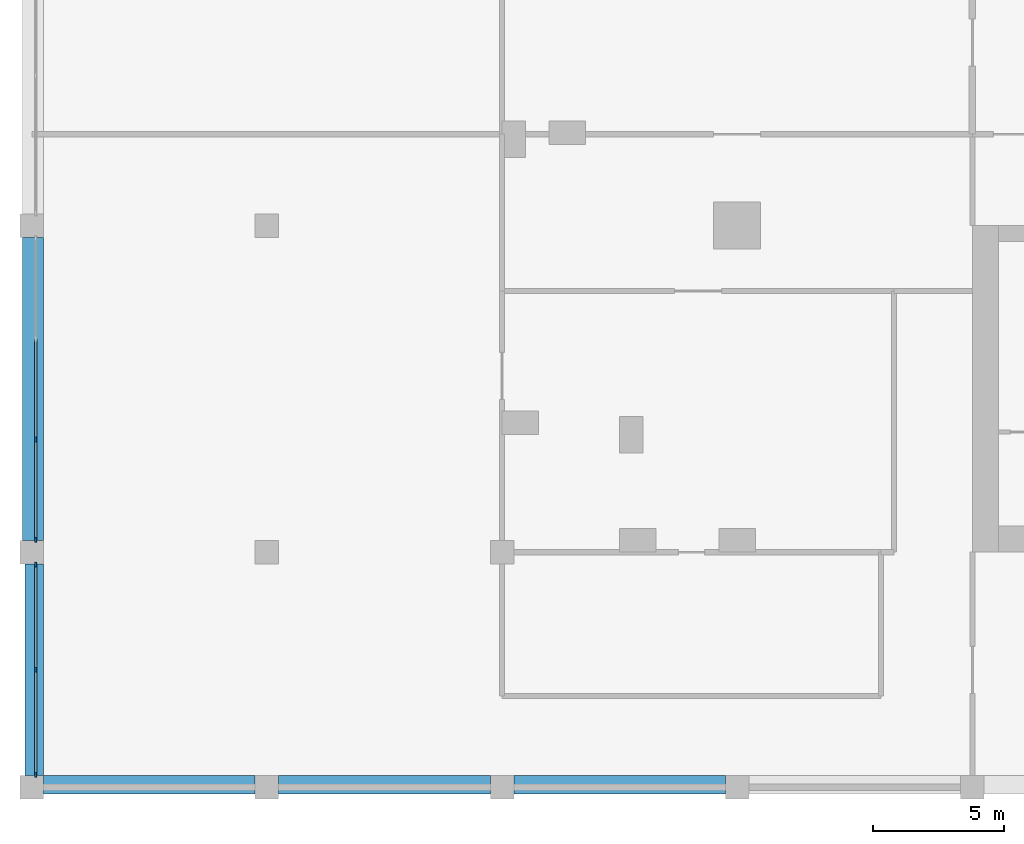
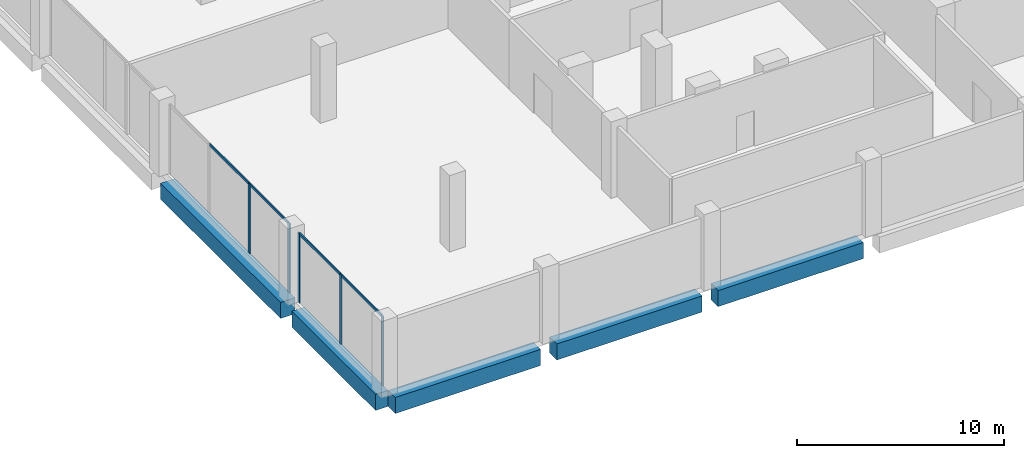
# One storey, part 2 of 22: 9 members, 5 beams, 2 elements without a shape of their own.
"""IFC4 building model written with IfcOpenShell, lengths in metres."""

import ifcopenshell
import ifcopenshell.guid

model = None  # the IFC model being written
_history = None  # IfcOwnerHistory: only IFC2X3 demands one
_inside = {}  # id of a spatial element -> (the spatial element, [elements in it])
_under = {}  # id of a project, library or spatial element -> (it, [spatial elements below it])
_declared = {}  # id of a project -> (the project, [libraries it declares])
_typed = {}  # id of a type object -> (the type object, [elements of that type])
_made_of = {}  # id of a material, layer set ... -> (it, [elements and type objects made of it])


def new_model(schema):
    """Start an empty IFC model of exactly this schema.

    Asked for "IFC4X3", IfcOpenShell would pick the latest addendum, in which some entities
    have other attributes; the version numbers below select the first issue.
    IFC2X3 requires an IfcOwnerHistory on every rooted entity: one is made here for all.
    """
    global model, _history
    if schema == "IFC4X3":
        model = ifcopenshell.file(schema_version=(4, 3, 0, 0))
    else:
        model = ifcopenshell.file(schema=schema)
    _inside.clear()
    _under.clear()
    _declared.clear()
    _typed.clear()
    _made_of.clear()
    _history = None
    if model.schema == "IFC2X3":
        org = make("IfcOrganization", Name="unknown")
        user = make(
            "IfcPersonAndOrganization",
            ThePerson=make("IfcPerson", FamilyName="unknown"),
            TheOrganization=org,
        )
        app = make(
            "IfcApplication",
            ApplicationDeveloper=org,
            Version="unknown",
            ApplicationFullName="unknown",
            ApplicationIdentifier="unknown",
        )
        _history = make(
            "IfcOwnerHistory",
            OwningUser=user,
            OwningApplication=app,
            ChangeAction="ADDED",
            CreationDate=0,
        )
    return model


def make(cls, **values):
    """One entity of the class cls with the attributes given. An attribute that is None is left unset."""
    return model.create_entity(
        cls, **{name: value for name, value in values.items() if value is not None}
    )


def rooted(cls, **values):
    """An entity with a GlobalId (a new one), such as an element, a storey or a relation."""
    return make(cls, GlobalId=ifcopenshell.guid.new(), OwnerHistory=_history, **values)


def si_unit(unit_type, name, prefix=None):
    """IfcSIUnit, for example si_unit("LENGTHUNIT", "METRE", prefix="MILLI")."""
    return make("IfcSIUnit", UnitType=unit_type, Prefix=prefix, Name=name)


def assignment(units):
    """IfcUnitAssignment: the units of a project."""
    return None if units is None else make("IfcUnitAssignment", Units=units)


def point(xyz):
    """IfcCartesianPoint."""
    return None if xyz is None else make("IfcCartesianPoint", Coordinates=xyz)


def direction(xyz):
    """IfcDirection."""
    return None if xyz is None else make("IfcDirection", DirectionRatios=xyz)


def frame(location, z_axis=None, x_axis=None):
    """IfcAxis2Placement3D, a coordinate frame: its origin and axes. An axis left out is left unset."""
    return make(
        "IfcAxis2Placement3D",
        Location=point(location),
        Axis=direction(z_axis),
        RefDirection=direction(x_axis),
    )


def frame_2d(location, x_axis=None):
    """IfcAxis2Placement2D, a coordinate frame in the plane: its origin and x axis."""
    return make(
        "IfcAxis2Placement2D", Location=point(location), RefDirection=direction(x_axis)
    )


def origin():
    """The frame at (0, 0, 0) with its axes left unset."""
    return frame((0.0, 0.0, 0.0))


def origin_2d():
    """The frame at (0, 0) in the plane with its x axis left unset."""
    return frame_2d((0.0, 0.0))


def place(relative_to, where):
    """IfcLocalPlacement: puts the frame where relative to a parent placement (None: the world)."""
    return make(
        "IfcLocalPlacement", PlacementRelTo=relative_to, RelativePlacement=where
    )


def context(
    kind, dimensions, precision=None, world=None, true_north=None, identifier=None
):
    """IfcGeometricRepresentationContext, for example the 3D "Model" context."""
    return make(
        "IfcGeometricRepresentationContext",
        ContextIdentifier=identifier,
        ContextType=kind,
        CoordinateSpaceDimension=dimensions,
        Precision=precision,
        WorldCoordinateSystem=world,
        TrueNorth=true_north,
    )


def subcontext(parent, identifier, kind, view, scale=None):
    """IfcGeometricRepresentationSubContext, for example "Body" below "Model"."""
    return make(
        "IfcGeometricRepresentationSubContext",
        ContextIdentifier=identifier,
        ContextType=kind,
        ParentContext=parent,
        TargetScale=scale,
        TargetView=view,
    )


def project(units=None, contexts=None):
    """IfcProject with its units and contexts."""
    return rooted(
        "IfcProject",
        Name="project",
        RepresentationContexts=contexts,
        UnitsInContext=assignment(units),
    )


def spatial(cls, under=None, at=None, **own):
    """A site, building, storey or space (cls), placed at a placement, below another one or the project."""
    s = rooted(cls, ObjectPlacement=at, **own)
    if under is not None:
        _under.setdefault(under.id(), (under, []))[1].append(s)
    return s


def profile(cls, at=None, kind="AREA", **sizes):
    """A parametric profile (cls). Its sizes go by their IFC names, for example OverallWidth=200.0."""
    return make(cls, ProfileType=kind, Position=at, **sizes)


def rectangle(**sizes):
    """IfcRectangleProfileDef."""
    return profile("IfcRectangleProfileDef", **sizes)


def extrude(swept, where, along, depth):
    """IfcExtrudedAreaSolid: the profile swept, set in the frame where, extruded along a direction by depth."""
    return make(
        "IfcExtrudedAreaSolid",
        SweptArea=swept,
        Position=where,
        ExtrudedDirection=direction(along),
        Depth=depth,
    )


def shape(context_of_items, identifier, shape_type, items):
    """IfcShapeRepresentation: the items that make up one representation, for example the "Body"."""
    return make(
        "IfcShapeRepresentation",
        ContextOfItems=context_of_items,
        RepresentationIdentifier=identifier,
        RepresentationType=shape_type,
        Items=items,
    )


def material(Name=None, Category=None):
    """IfcMaterial."""
    return make("IfcMaterial", Name=Name, Category=Category)


def layer(
    of_material, thickness, ventilated=None, Name=None, Category=None, Priority=None
):
    """IfcMaterialLayer: one layer of a wall or slab, of a material (None: an air gap)."""
    return make(
        "IfcMaterialLayer",
        Material=of_material,
        LayerThickness=thickness,
        IsVentilated=ventilated,
        Name=Name,
        Category=Category,
        Priority=Priority,
    )


def layer_set(layers, Name=None):
    """IfcMaterialLayerSet."""
    return make("IfcMaterialLayerSet", MaterialLayers=layers, LayerSetName=Name)


def material_profile(
    of_material, cross_section, Name=None, Category=None, Priority=None
):
    """IfcMaterialProfile: a cross section and its material."""
    return make(
        "IfcMaterialProfile",
        Name=Name,
        Material=of_material,
        Profile=cross_section,
        Priority=Priority,
        Category=Category,
    )


def profile_set(profiles, Name=None, composite=None):
    """IfcMaterialProfileSet."""
    return make(
        "IfcMaterialProfileSet",
        Name=Name,
        MaterialProfiles=profiles,
        CompositeProfile=composite,
    )


def made_of(thing, what):
    """Note that an element or type object is made of a material, layer set ...; save() writes the relation."""
    if what is not None:
        _made_of.setdefault(what.id(), (what, []))[1].append(thing)
    return thing


def type_object(cls, material=None, **own):
    """A type object (cls), such as IfcWallType, which elements share."""
    return made_of(rooted(cls, **own), material)


def element(
    cls,
    number,
    at=None,
    inside=None,
    cuts=None,
    type_object=None,
    material=None,
    context=None,
    identifier="Body",
    shape_type=None,
    held_by="IfcProductDefinitionShape",
    body=None,
    shapes=None,
    **own,
):
    """One element of the class cls, such as IfcWall. Its Tag is "e" and its number.

    at: its placement. inside: the storey or other place that contains it. cuts: it is an
    opening in that element (IfcRelVoidsElement). A single representation is given by context,
    identifier, shape_type and body (its items); several are given by shapes. held_by: the class
    of the entity that holds the representations. save() writes the other relations.
    """
    e = rooted(cls, Tag="e%d" % number, ObjectPlacement=at, **own)
    if body is not None:
        shapes = [shape(context, identifier, shape_type, body)]
    if shapes is not None:
        e.Representation = make(held_by, Representations=shapes)
    if inside is not None:
        _inside.setdefault(inside.id(), (inside, []))[1].append(e)
    if cuts is not None:
        rooted(
            "IfcRelVoidsElement", RelatingBuildingElement=cuts, RelatedOpeningElement=e
        )
    if type_object is not None:
        _typed.setdefault(type_object.id(), (type_object, []))[1].append(e)
    return made_of(e, material)


def aggregate(whole, parts):
    """IfcRelAggregates: a whole, such as a stair, and the parts it consists of."""
    return rooted("IfcRelAggregates", RelatingObject=whole, RelatedObjects=parts)


def save(model, path):
    """Write the relations noted so far, then the file.

    IfcRelAggregates (storeys below a building ...), IfcRelContainedInSpatialStructure (elements
    in a storey), IfcRelDefinesByType, IfcRelAssociatesMaterial and IfcRelDeclares: one each for
    every whole, place, type object, material and project.
    """
    for whole, parts in _under.values():
        aggregate(whole, parts)
    for where, things in _inside.values():
        rooted(
            "IfcRelContainedInSpatialStructure",
            RelatedElements=things,
            RelatingStructure=where,
        )
    for kind, things in _typed.values():
        rooted("IfcRelDefinesByType", RelatedObjects=things, RelatingType=kind)
    for what, things in _made_of.values():
        rooted("IfcRelAssociatesMaterial", RelatedObjects=things, RelatingMaterial=what)
    for by, libraries in _declared.values():
        rooted("IfcRelDeclares", RelatingContext=by, RelatedDefinitions=libraries)
    model.write(path)


model = new_model("IFC4")

# Units and contexts
model_context = context("Model", 3, precision=1e-05, world=origin(), true_north=direction((0.0, 1.0)))
body_context = subcontext(model_context, "Body", "Model", "MODEL_VIEW")
ifc_project = project(units=[si_unit("LENGTHUNIT", "METRE"), si_unit("AREAUNIT", "SQUARE_METRE"), si_unit("VOLUMEUNIT", "CUBIC_METRE"), si_unit("PLANEANGLEUNIT", "RADIAN"), si_unit("MASSUNIT", "GRAM", prefix="KILO")], contexts=[model_context])

# Site, building, storey
site_placement = place(None, origin())
site = spatial("IfcSite", under=ifc_project, at=site_placement, CompositionType="ELEMENT")
building_placement = place(site_placement, origin())
building = spatial("IfcBuilding", under=site, at=building_placement, Name="Brigalow Station Residences", CompositionType="ELEMENT")
storey_placement = place(building_placement, frame((0.0, 0.0, 6.5)))
storey = spatial("IfcBuildingStorey", under=building, at=storey_placement, Name="L01", CompositionType="ELEMENT", Elevation=6.5)

# Beams
ifc_material_1 = material(Name="Concrete C65", Category="concrete")
ifc_material_profile_1 = material_profile(ifc_material_1, rectangle(XDim=0.699951171875, YDim=0.949951171875, at=origin_2d()), Name="RC700x950")
ifc_profile_set_1 = profile_set([ifc_material_profile_1], Name="Concrete C65")
beam_type_1 = type_object("IfcBeamType", Name="EDGE GIRDER 4.5 TO 9.9 M SPAN 700x950 C65", PredefinedType="BEAM", material=ifc_profile_set_1)
for number, where, z_axis, x_axis, name in (
    (1, (-17.550048828125, -8.89990234375, -0.876953125), (1.0, 0.0, 0.0), (0.0, 1.0, 0.0), "PODIUM EDGE GIRDER S1 L01"),
    (2, (-8.550048828125, -8.89990234375, -0.876953125), (1.0, 0.0, 0.0), (0.0, 1.0, 0.0), "PODIUM EDGE GIRDER S2 L01"),
    (3, (0.449951171875, -8.89990234375, -0.876953125), (1.0, 0.0, 0.0), (0.0, 1.0, 0.0), "PODIUM EDGE GIRDER S3 L01"),
    (4, (-17.89990234375, -8.550048828125, -0.876953125), (0.0, 1.0, 0.0), (-1.0, 0.0, 0.0), "PODIUM EDGE GIRDER W31 L01"),
):
    element("IfcBeam", number, at=place(storey_placement, frame(where, z_axis=z_axis, x_axis=x_axis)), inside=storey, type_object=beam_type_1, Name=name, PredefinedType="BEAM", context=body_context, shape_type="SweptSolid", body=[
        extrude(rectangle(XDim=0.699951171875, YDim=0.949951171875, at=origin_2d()), origin(), (0.0, 0.0, 1.0), 8.10009765625),
    ])
ifc_material_2 = material(Name="Concrete C65", Category="concrete")
ifc_material_profile_2 = material_profile(ifc_material_2, rectangle(XDim=0.800048828125, YDim=0.949951171875, at=origin_2d()), Name="RC800x950")
ifc_profile_set_2 = profile_set([ifc_material_profile_2], Name="Concrete C65")
beam_type_2 = type_object("IfcBeamType", Name="EDGE GIRDER OVER 9.9 M SPAN 800x950 C65", PredefinedType="BEAM", material=ifc_profile_set_2)
beam_placement = place(storey_placement, frame((-17.949951171875, 0.449951171875, -0.876953125), z_axis=(0.0, 1.0, 0.0), x_axis=(-1.0, 0.0, 0.0)))
element("IfcBeam", 5, at=beam_placement, inside=storey, type_object=beam_type_2, Name="PODIUM EDGE GIRDER W32 L01", PredefinedType="BEAM", context=body_context, shape_type="SweptSolid", body=[
    extrude(rectangle(XDim=0.800048828125, YDim=0.949951171875, at=origin_2d()), origin(), (0.0, 0.0, 1.0), 11.60009765625),
])

# Curtain wall, members
ifc_material_3 = material(Name="Aluminium", Category="aluminium")
ifc_layer = layer(ifc_material_3, 0.199951171875)
ifc_layer_set = layer_set([ifc_layer], Name="PODIUM UNITISED GLAZING CURTAIN WALL")
curtain_wall_type = type_object("IfcCurtainWallType", Name="PODIUM UNITISED GLAZING CURTAIN WALL", PredefinedType="NOTDEFINED", material=ifc_layer_set)
curtain_wall_1_placement = place(storey_placement, origin())
curtain_wall_1 = element("IfcCurtainWall", 6, at=curtain_wall_1_placement, inside=storey, type_object=curtain_wall_type, Name="L01/cw/podium-W-L01-31-21", PredefinedType="NOTDEFINED")
ifc_material_4 = material(Name="Aluminium", Category="aluminium")
ifc_material_profile_3 = material_profile(ifc_material_4, rectangle(XDim=0.06494140625, YDim=0.199951171875, at=origin_2d()), Name="PODIUM UNITISED GLAZING MULLION 65x200")
ifc_profile_set_3 = profile_set([ifc_material_profile_3], Name="Aluminium")
member_type_1 = type_object("IfcMemberType", Name="PODIUM UNITISED GLAZING MULLION 65x200", PredefinedType="MULLION", material=ifc_profile_set_3)
member_1_placement = place(storey_placement, frame((-17.85009765625, 4.316650390625, 0.0), z_axis=(0.0, 0.0, 1.0), x_axis=(1.0, 0.0, 0.0)))
member_1 = element("IfcMember", 7, at=member_1_placement, type_object=member_type_1, Name="L01/cw/podium-W-L01-31-21/M02", PredefinedType="MULLION", context=body_context, shape_type="SweptSolid", body=[
    extrude(rectangle(XDim=0.06494140625, YDim=0.199951171875, at=origin_2d()), origin(), (0.0, 0.0, 1.0), 4.097900390625),
])
member_2_placement = place(storey_placement, frame((-17.85009765625, 0.482421875, 0.0), z_axis=(0.0, 0.0, 1.0), x_axis=(1.0, 0.0, 0.0)))
member_2 = element("IfcMember", 8, at=member_2_placement, type_object=member_type_1, Name="L01/cw/podium-W-L01-31-21/M03", PredefinedType="MULLION", context=body_context, shape_type="SweptSolid", body=[
    extrude(rectangle(XDim=0.06494140625, YDim=0.199951171875, at=origin_2d()), origin(), (0.0, 0.0, 1.0), 4.097900390625),
])

curtain_wall_2_placement = place(storey_placement, origin())
curtain_wall_2 = element("IfcCurtainWall", 9, at=curtain_wall_2_placement, inside=storey, type_object=curtain_wall_type, Name="L01/cw/podium-W-L01-31-22", PredefinedType="NOTDEFINED")
member_3_placement = place(storey_placement, frame((-17.85009765625, -0.482421875, 0.0), z_axis=(0.0, 0.0, 1.0), x_axis=(1.0, 0.0, 0.0)))
member_3 = element("IfcMember", 10, at=member_3_placement, type_object=member_type_1, Name="L01/cw/podium-W-L01-31-22/M00", PredefinedType="MULLION", context=body_context, shape_type="SweptSolid", body=[
    extrude(rectangle(XDim=0.06494140625, YDim=0.199951171875, at=origin_2d()), origin(), (0.0, 0.0, 1.0), 4.097900390625),
])
member_4_placement = place(storey_placement, frame((-17.85009765625, -4.5, 0.0), z_axis=(0.0, 0.0, 1.0), x_axis=(1.0, 0.0, 0.0)))
member_4 = element("IfcMember", 11, at=member_4_placement, type_object=member_type_1, Name="L01/cw/podium-W-L01-31-22/M01", PredefinedType="MULLION", context=body_context, shape_type="SweptSolid", body=[
    extrude(rectangle(XDim=0.06494140625, YDim=0.199951171875, at=origin_2d()), origin(), (0.0, 0.0, 1.0), 4.097900390625),
])
member_5_placement = place(storey_placement, frame((-17.85009765625, -8.517578125, 0.0), z_axis=(0.0, 0.0, 1.0), x_axis=(1.0, 0.0, 0.0)))
member_5 = element("IfcMember", 12, at=member_5_placement, type_object=member_type_1, Name="L01/cw/podium-W-L01-31-22/M02", PredefinedType="MULLION", context=body_context, shape_type="SweptSolid", body=[
    extrude(rectangle(XDim=0.06494140625, YDim=0.199951171875, at=origin_2d()), origin(), (0.0, 0.0, 1.0), 4.097900390625),
])

# Member
ifc_material_5 = material(Name="Aluminium", Category="aluminium")
ifc_material_profile_4 = material_profile(ifc_material_5, rectangle(XDim=0.06494140625, YDim=0.14990234375, at=origin_2d()), Name="PODIUM UNITISED GLAZING TRANSOM 65x150")
ifc_profile_set_4 = profile_set([ifc_material_profile_4], Name="Aluminium")
member_type_2 = type_object("IfcMemberType", Name="PODIUM UNITISED GLAZING TRANSOM 65x150", PredefinedType="USERDEFINED", material=ifc_profile_set_4)
member_6_placement = place(storey_placement, frame((-17.85009765625, 8.15087890625, 4.0654296875), z_axis=(0.0, -1.0, 0.0), x_axis=(1.0, 0.0, 0.0)))
member_6 = element("IfcMember", 13, at=member_6_placement, type_object=member_type_2, Name="L01/cw/podium-W-L01-31-21/T01-00", ObjectType="TRANSOM", PredefinedType="USERDEFINED", context=body_context, shape_type="SweptSolid", body=[
    extrude(rectangle(XDim=0.06494140625, YDim=0.14990234375, at=origin_2d()), origin(), (0.0, 0.0, 1.0), 3.8017578125),
])

member_7_placement = place(storey_placement, frame((-17.85009765625, 4.2841796875, 4.0654296875), z_axis=(0.0, -1.0, 0.0), x_axis=(1.0, 0.0, 0.0)))
member_7 = element("IfcMember", 14, at=member_7_placement, type_object=member_type_2, Name="L01/cw/podium-W-L01-31-21/T02-00", ObjectType="TRANSOM", PredefinedType="USERDEFINED", context=body_context, shape_type="SweptSolid", body=[
    extrude(rectangle(XDim=0.06494140625, YDim=0.14990234375, at=origin_2d()), origin(), (0.0, 0.0, 1.0), 3.769287109375),
])

aggregate(curtain_wall_1, [member_1, member_2, member_6, member_7])

member_8_placement = place(storey_placement, frame((-17.85009765625, -0.514892578125, 4.0654296875), z_axis=(0.0, -1.0, 0.0), x_axis=(1.0, 0.0, 0.0)))
member_8 = element("IfcMember", 15, at=member_8_placement, type_object=member_type_2, Name="L01/cw/podium-W-L01-31-22/T00-00", ObjectType="TRANSOM", PredefinedType="USERDEFINED", context=body_context, shape_type="SweptSolid", body=[
    extrude(rectangle(XDim=0.06494140625, YDim=0.14990234375, at=origin_2d()), origin(), (0.0, 0.0, 1.0), 3.95263671875),
])

member_9_placement = place(storey_placement, frame((-17.85009765625, -4.532470703125, 4.0654296875), z_axis=(0.0, -1.0, 0.0), x_axis=(1.0, 0.0, 0.0)))
member_9 = element("IfcMember", 16, at=member_9_placement, type_object=member_type_2, Name="L01/cw/podium-W-L01-31-22/T01-00", ObjectType="TRANSOM", PredefinedType="USERDEFINED", context=body_context, shape_type="SweptSolid", body=[
    extrude(rectangle(XDim=0.06494140625, YDim=0.14990234375, at=origin_2d()), origin(), (0.0, 0.0, 1.0), 3.95263671875),
])

aggregate(curtain_wall_2, [member_3, member_4, member_5, member_8, member_9])

save(model, "model.ifc")
